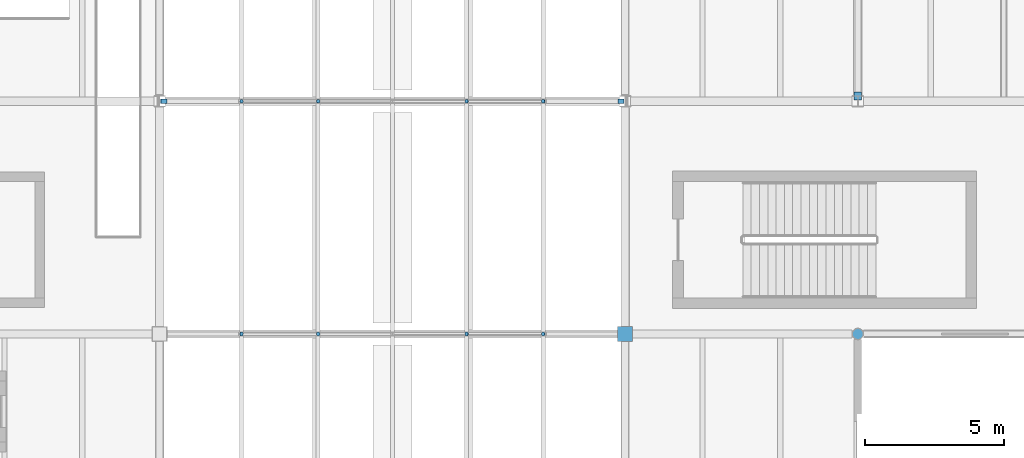
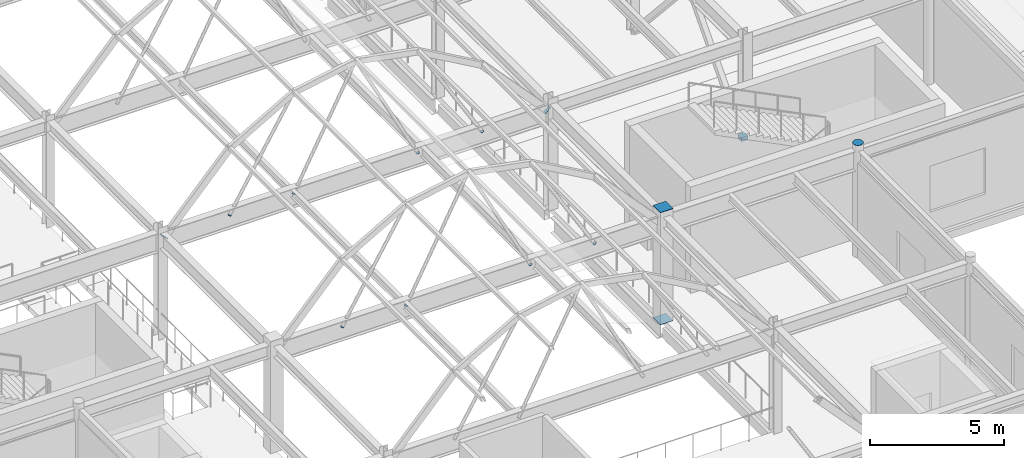
# One storey, part 76 of 103: 14 discrete accessories.
"""IFC4 building model written with IfcOpenShell, lengths in metres."""

from ifc_helpers import new_model, si_unit, direction, frame, origin, origin_2d, place, context, subcontext, project, spatial, rectangle, circle, extrude, material, type_object, element, save


model = new_model("IFC4")

# Units and contexts
model_context = context("Model", 3, precision=1e-05, world=origin(), true_north=direction((0.0, 1.0)))
body_context = subcontext(model_context, "Body", "Model", "MODEL_VIEW")
ifc_project = project(units=[si_unit("LENGTHUNIT", "METRE"), si_unit("AREAUNIT", "SQUARE_METRE"), si_unit("VOLUMEUNIT", "CUBIC_METRE"), si_unit("PLANEANGLEUNIT", "RADIAN"), si_unit("MASSUNIT", "GRAM", prefix="KILO"), si_unit("THERMODYNAMICTEMPERATUREUNIT", "KELVIN")], contexts=[model_context])

# Site, building, storey
site_placement = place(None, origin())
site = spatial("IfcSite", under=ifc_project, at=site_placement, CompositionType="ELEMENT")
building_placement = place(site_placement, origin())
building = spatial("IfcBuilding", under=site, at=building_placement, Name="Lustrewick Department Store", CompositionType="ELEMENT")
storey_placement = place(building_placement, frame((0.0, 0.0, 16.5)))
storey = spatial("IfcBuildingStorey", under=building, at=storey_placement, Name="L04", CompositionType="ELEMENT", Elevation=16.5)

# Discrete accessories
ifc_material = material(Name="Structural steel Q355C", Category="steel")
discrete_accessory_type_1 = type_object("IfcDiscreteAccessoryType", Name="GUS-NODE", PredefinedType="BRACKET", material=ifc_material)
discrete_accessory_1_placement = place(storey_placement, frame((100.800048828125, 67.39404296875, 0.06005859375), z_axis=(0.0, 0.0, 1.0), x_axis=(1.0, 0.0, 0.0)))
element("IfcDiscreteAccessory", 1, at=discrete_accessory_1_placement, inside=storey, type_object=discrete_accessory_type_1, Name="L04 V2 Brace Base Gusset Plate", PredefinedType="BRACKET", context=body_context, shape_type="SweptSolid", body=[
    extrude(rectangle(XDim=0.280029296875, YDim=0.280029296875, at=origin_2d()), origin(), (0.0, 0.0, 1.0), 0.179931640625),
])
discrete_accessory_type_2 = type_object("IfcDiscreteAccessoryType", Name="ECP-01", PredefinedType="USERDEFINED", material=ifc_material)
for number, where, z_axis, x_axis, name in (
    (2, (81.324462890625, 58.800048828125, 4.50048828125), (-0.462788020817, 0.0, -0.886468977341), (0.0, 1.0, 0.0), "L04 Welded Hollow-Section End-Cap Plate ECP-01"),
    (3, (78.55810546875, 58.800048828125, 4.500244140625), (-0.513782216913, 0.0, -0.857920645272), (0.0, 1.0, 0.0), "L04 Welded Hollow-Section End-Cap Plate ECP-01"),
):
    element("IfcDiscreteAccessory", number, at=place(storey_placement, frame(where, z_axis=z_axis, x_axis=x_axis)), inside=storey, type_object=discrete_accessory_type_2, Name=name, ObjectType="END_CAP_PLATE", PredefinedType="USERDEFINED", context=body_context, shape_type="SweptSolid", body=[
        extrude(circle(Radius=0.070068359375, at=origin_2d()), origin(), (0.0, 0.0, 1.0), 0.01611328125),
    ])
discrete_accessory_2_placement = place(storey_placement, frame((75.754150390625, 67.199951171875, 4.49951171875), z_axis=(-0.678233515991, 0.0, -0.734846445039), x_axis=(0.0, 1.0, 0.0)))
element("IfcDiscreteAccessory", 4, at=discrete_accessory_2_placement, inside=storey, type_object=discrete_accessory_type_2, Name="L04 Welded Hollow-Section End-Cap Plate ECP-01", ObjectType="END_CAP_PLATE", PredefinedType="USERDEFINED", context=body_context, shape_type="SweptSolid", body=[
    extrude(rectangle(XDim=0.14990234375, YDim=0.300048828125, at=origin_2d()), origin(), (0.0, 0.0, 1.0), 0.01611328125),
])
for number, where, z_axis, x_axis, name in (
    (5, (89.44189453125, 67.199951171875, 4.500244140625), (0.513782216913, 0.0, -0.857920645272), (0.0, -1.0, 0.0), "L04 Welded Hollow-Section End-Cap Plate ECP-01"),
    (6, (86.675537109375, 58.800048828125, 4.50048828125), (0.462788020817, 0.0, -0.886468977341), (0.0, -1.0, 0.0), "L04 Welded Hollow-Section End-Cap Plate ECP-01"),
):
    element("IfcDiscreteAccessory", number, at=place(storey_placement, frame(where, z_axis=z_axis, x_axis=x_axis)), inside=storey, type_object=discrete_accessory_type_2, Name=name, ObjectType="END_CAP_PLATE", PredefinedType="USERDEFINED", context=body_context, shape_type="SweptSolid", body=[
        extrude(circle(Radius=0.070068359375, at=origin_2d()), origin(), (0.0, 0.0, 1.0), 0.01611328125),
    ])
discrete_accessory_3_placement = place(storey_placement, frame((100.800048828125, 58.800048828125, 5.093994140625), z_axis=(0.0, 0.0, 1.0), x_axis=(1.0, 0.0, 0.0)))
element("IfcDiscreteAccessory", 7, at=discrete_accessory_3_placement, inside=storey, type_object=discrete_accessory_type_2, Name="L04 Welded Hollow-Section End-Cap Plate ECP-01", ObjectType="END_CAP_PLATE", PredefinedType="USERDEFINED", context=body_context, shape_type="SweptSolid", body=[
    extrude(circle(Radius=0.202880859375, at=origin_2d()), origin(), (0.0, 0.0, 1.0), 0.01611328125),
])
for number, where, z_axis, x_axis, name in (
    (8, (89.44189453125, 58.800048828125, 4.500244140625), (0.513782216913, 0.0, -0.857920645272), (0.0, -1.0, 0.0), "L04 Welded Hollow-Section End-Cap Plate ECP-01"),
    (9, (86.675537109375, 67.199951171875, 4.50048828125), (0.462788020817, 0.0, -0.886468977341), (0.0, -1.0, 0.0), "L04 Welded Hollow-Section End-Cap Plate ECP-01"),
    (10, (81.324462890625, 67.199951171875, 4.50048828125), (-0.462788020817, 0.0, -0.886468977341), (0.0, 1.0, 0.0), "L04 Welded Hollow-Section End-Cap Plate ECP-01"),
    (11, (78.55810546875, 67.199951171875, 4.500244140625), (-0.513782216913, 0.0, -0.857920645272), (0.0, 1.0, 0.0), "L04 Welded Hollow-Section End-Cap Plate ECP-01"),
):
    element("IfcDiscreteAccessory", number, at=place(storey_placement, frame(where, z_axis=z_axis, x_axis=x_axis)), inside=storey, type_object=discrete_accessory_type_2, Name=name, ObjectType="END_CAP_PLATE", PredefinedType="USERDEFINED", context=body_context, shape_type="SweptSolid", body=[
        extrude(circle(Radius=0.070068359375, at=origin_2d()), origin(), (0.0, 0.0, 1.0), 0.01611328125),
    ])
for number, where, z_axis, x_axis, name in (
    (12, (92.39990234375, 58.800048828125, 5.093994140625), (0.0, 0.0, 1.0), (1.0, 0.0, 0.0), "L04 Welded Hollow-Section End-Cap Plate ECP-01"),
    (13, (92.39990234375, 58.800048828125, 0.006103515625), (0.0, 0.0, -1.0), (1.0, 0.0, 0.0), "L04 Welded Hollow-Section End-Cap Plate ECP-01"),
):
    element("IfcDiscreteAccessory", number, at=place(storey_placement, frame(where, z_axis=z_axis, x_axis=x_axis)), inside=storey, type_object=discrete_accessory_type_2, Name=name, ObjectType="END_CAP_PLATE", PredefinedType="USERDEFINED", context=body_context, shape_type="SweptSolid", body=[
        extrude(rectangle(XDim=0.550048828125, YDim=0.550048828125, at=origin_2d()), origin(), (0.0, 0.0, 1.0), 0.01611328125),
    ])
discrete_accessory_4_placement = place(storey_placement, frame((92.24609375, 67.199951171875, 4.49951171875), z_axis=(0.678233515991, 0.0, -0.734846445039), x_axis=(0.0, 1.0, 0.0)))
element("IfcDiscreteAccessory", 14, at=discrete_accessory_4_placement, inside=storey, type_object=discrete_accessory_type_2, Name="L04 Welded Hollow-Section End-Cap Plate ECP-01", ObjectType="END_CAP_PLATE", PredefinedType="USERDEFINED", context=body_context, shape_type="SweptSolid", body=[
    extrude(rectangle(XDim=0.14990234375, YDim=0.300048828125, at=origin_2d()), origin(), (0.0, 0.0, 1.0), 0.01611328125),
])

save(model, "model.ifc")
